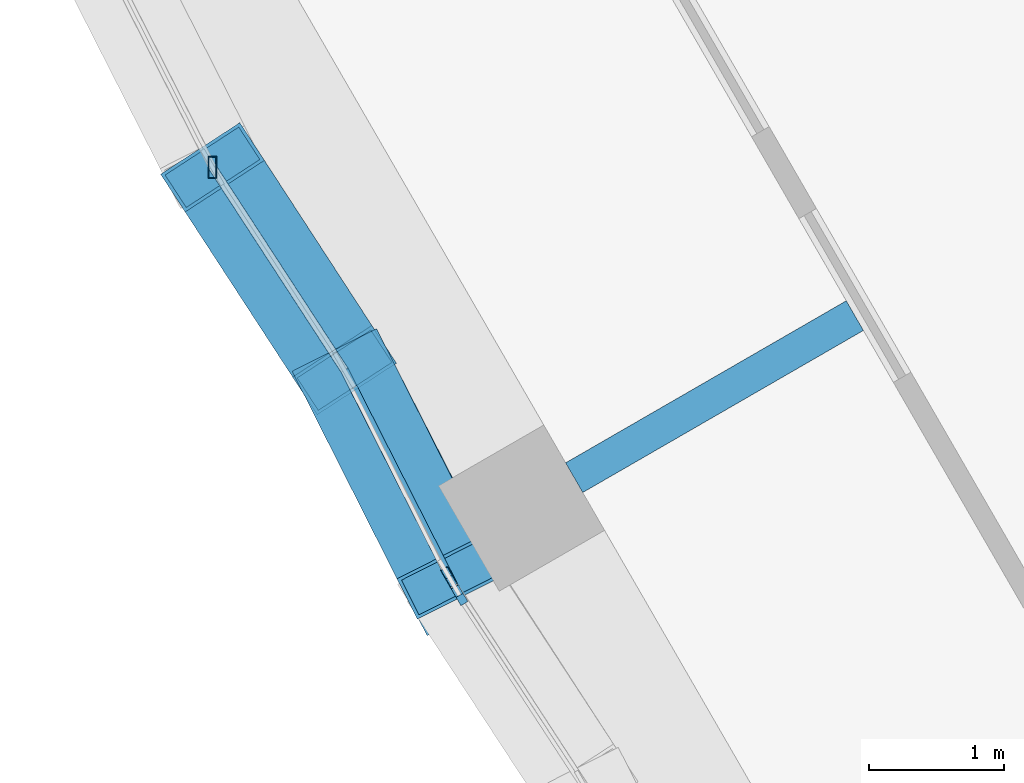
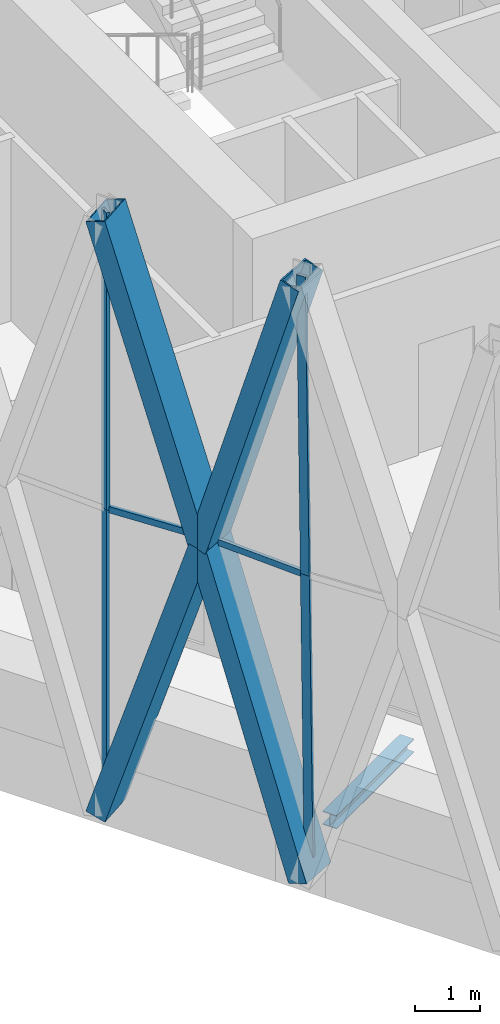
# One storey, part 3 of 21: 10 members, 1 beam, 2 elements without a shape of their own.
"""IFC4 building model written with IfcOpenShell, lengths in metres."""

from ifc_helpers import new_model, si_unit, direction, frame, origin, origin_2d, place, context, subcontext, project, spatial, hollow_rectangle, i_section, extrude, material, material_profile, profile_set, type_object, element, aggregate, save


model = new_model("IFC4")

# Units and contexts
model_context = context("Model", 3, precision=1e-05, world=origin(), true_north=direction((0.0, 1.0)))
body_context = subcontext(model_context, "Body", "Model", "MODEL_VIEW")
ifc_project = project(units=[si_unit("LENGTHUNIT", "METRE"), si_unit("AREAUNIT", "SQUARE_METRE"), si_unit("VOLUMEUNIT", "CUBIC_METRE"), si_unit("PLANEANGLEUNIT", "RADIAN"), si_unit("MASSUNIT", "GRAM", prefix="KILO")], contexts=[model_context])

# Site, building, storey
site_placement = place(None, origin())
site = spatial("IfcSite", under=ifc_project, at=site_placement, CompositionType="ELEMENT")
building_placement = place(site_placement, origin())
building = spatial("IfcBuilding", under=site, at=building_placement, Name="Ostrander Bayou Hotel Tower", CompositionType="ELEMENT")
storey_placement = place(building_placement, frame((0.0, 0.0, 256.25)))
storey = spatial("IfcBuildingStorey", under=building, at=storey_placement, Name="L63", CompositionType="ELEMENT", Elevation=256.25)

# Curtain wall, members
ifc_material_1 = material(Name="Aluminium and clear glass", Category="aluminium")
curtain_wall_type = type_object("IfcCurtainWallType", Name="CW-LAT lattice glazing", PredefinedType="NOTDEFINED", material=ifc_material_1)
curtain_wall_1_placement = place(storey_placement, origin())
curtain_wall_1 = element("IfcCurtainWall", 1, at=curtain_wall_1_placement, inside=storey, type_object=curtain_wall_type, Name="CW-LAT L63 SW 1", PredefinedType="NOTDEFINED")
ifc_material_2 = material(Name="Aluminium", Category="aluminium")
ifc_material_profile_1 = material_profile(ifc_material_2, hollow_rectangle(XDim=0.06005859375, YDim=0.159912109375, WallThickness=0.00390625, at=origin_2d()))
ifc_profile_set_1 = profile_set([ifc_material_profile_1], Name="Aluminium")
member_type_1 = type_object("IfcMemberType", Name="CW-LA mullion 60 x 160 mm", PredefinedType="MULLION", material=ifc_profile_set_1)
member_1_placement = place(storey_placement, frame((-15.216064453125, -8.784912109375, -0.60009765625), z_axis=(0.0, 0.0, 1.0), x_axis=(1.0, 0.0, 0.0)))
member_1 = element("IfcMember", 2, at=member_1_placement, type_object=member_type_1, Name="CW-LAT mullion 8", PredefinedType="MULLION", context=body_context, shape_type="SweptSolid", body=[
    extrude(hollow_rectangle(XDim=0.06005859375, YDim=0.159912109375, WallThickness=0.00390625, at=origin_2d()), origin(), (0.0, 0.0, 1.0), 5.625),
])
member_2_placement = place(storey_placement, frame((-15.216064453125, -8.784912109375, 5.02490234375), z_axis=(0.0, 0.0, 1.0), x_axis=(1.0, 0.0, 0.0)))
member_2 = element("IfcMember", 3, at=member_2_placement, type_object=member_type_1, Name="CW-LAT mullion 9", PredefinedType="MULLION", context=body_context, shape_type="SweptSolid", body=[
    extrude(hollow_rectangle(XDim=0.06005859375, YDim=0.159912109375, WallThickness=0.00390625, at=origin_2d()), origin(), (0.0, 0.0, 1.0), 5.625),
])
member_3_placement = place(storey_placement, frame((-13.390869140625, -11.9462890625, -0.60009765625), z_axis=(-0.006292904751, 0.010893235121, 0.999920865258), x_axis=(-0.865898279276, -0.500220121494, 0.0)))
member_3 = element("IfcMember", 4, at=member_3_placement, type_object=member_type_1, Name="CW-LAT mullion 12", PredefinedType="MULLION", context=body_context, shape_type="SweptSolid", body=[
    extrude(hollow_rectangle(XDim=0.06005859375, YDim=0.159912109375, WallThickness=0.00390625, at=origin_2d()), origin(), (0.0, 0.0, 1.0), 5.62548828125),
])
member_4_placement = place(storey_placement, frame((-13.42626953125, -11.885009765625, 5.02490234375), z_axis=(-0.006336299356, 0.010936626286, 0.999920117567), x_axis=(-0.865269522392, -0.501306945513, 0.0)))
member_4 = element("IfcMember", 5, at=member_4_placement, type_object=member_type_1, Name="CW-LAT mullion 13", PredefinedType="MULLION", context=body_context, shape_type="SweptSolid", body=[
    extrude(hollow_rectangle(XDim=0.06005859375, YDim=0.159912109375, WallThickness=0.00390625, at=origin_2d()), origin(), (0.0, 0.0, 1.0), 5.62548828125),
])
aggregate(curtain_wall_1, [member_1, member_2, member_3, member_4])

curtain_wall_2_placement = place(storey_placement, origin())
curtain_wall_2 = element("IfcCurtainWall", 6, at=curtain_wall_2_placement, inside=storey, type_object=curtain_wall_type, Name="CW-LAT L63 SW 2", PredefinedType="NOTDEFINED")
ifc_material_3 = material(Name="Aluminium", Category="aluminium")
ifc_material_profile_2 = material_profile(ifc_material_3, hollow_rectangle(XDim=0.06005859375, YDim=0.1201171875, WallThickness=0.00390625, at=origin_2d()))
ifc_profile_set_2 = profile_set([ifc_material_profile_2], Name="Aluminium")
member_type_2 = type_object("IfcMemberType", Name="CW-LA transom 60 x 120 mm", PredefinedType="USERDEFINED", material=ifc_profile_set_2)
member_5_placement = place(storey_placement, frame((-15.216064453125, -8.784912109375, 5.02490234375), z_axis=(0.545519674229, -0.838098016362, 0.0), x_axis=(0.838098016362, 0.545519674229, 0.0)))
member_5 = element("IfcMember", 7, at=member_5_placement, type_object=member_type_2, Name="CW-LAT transom 11", ObjectType="TRANSOM", PredefinedType="USERDEFINED", context=body_context, shape_type="SweptSolid", body=[
    extrude(hollow_rectangle(XDim=0.06005859375, YDim=0.1201171875, WallThickness=0.00390625, at=origin_2d()), origin(), (0.0, 0.0, 1.0), 1.79248046875),
])
member_6_placement = place(storey_placement, frame((-13.42626953125, -11.885009765625, 5.02490234375), z_axis=(-0.453033876418, 0.891493301611, 0.0), x_axis=(-0.891493301611, -0.453033876418, 0.0)))
member_6 = element("IfcMember", 8, at=member_6_placement, type_object=member_type_2, Name="CW-LAT transom 14", ObjectType="TRANSOM", PredefinedType="USERDEFINED", context=body_context, shape_type="SweptSolid", body=[
    extrude(hollow_rectangle(XDim=0.06005859375, YDim=0.1201171875, WallThickness=0.00390625, at=origin_2d()), origin(), (0.0, 0.0, 1.0), 1.79248046875),
])
aggregate(curtain_wall_2, [member_5, member_6])

# Beam
ifc_material_4 = material(Name="Steel ASTM A992", Category="steel")
ifc_material_profile_3 = material_profile(ifc_material_4, i_section(OverallWidth=0.25390625, OverallDepth=0.25341796875, WebThickness=0.008544921875, FlangeThickness=0.01416015625, at=origin_2d()))
ifc_profile_set_3 = profile_set([ifc_material_profile_3], Name="Steel ASTM A992")
beam_type = type_object("IfcBeamType", Name="LB2 loggia bracket W10x49", PredefinedType="BEAM", material=ifc_profile_set_3)
beam_placement = place(storey_placement, frame((-12.5380859375, -11.083251953125, -0.4267578125), z_axis=(0.866024647952, 0.500001309137, 0.0), x_axis=(-0.500001309137, 0.866024647952, 0.0)))
element("IfcBeam", 9, at=beam_placement, inside=storey, type_object=beam_type, Name="LB2 L63 SW2", PredefinedType="BEAM", context=body_context, shape_type="SweptSolid", body=[
    extrude(i_section(OverallWidth=0.25390625, OverallDepth=0.25341796875, WebThickness=0.008544921875, FlangeThickness=0.01416015625, at=origin_2d()), origin(), (0.0, 0.0, 1.0), 2.39990234375),
])

# Members
ifc_material_5 = material(Name="Steel ASTM A572 Gr 50", Category="steel")
ifc_material_profile_4 = material_profile(ifc_material_5, hollow_rectangle(XDim=0.699951171875, YDim=0.35009765625, WallThickness=0.02490234375, at=origin_2d()))
ifc_profile_set_4 = profile_set([ifc_material_profile_4], Name="Steel ASTM A572 Gr 50")
member_type_3 = type_object("IfcMemberType", Name="LT1 lattice member box 700 x 350 x 25 mm", PredefinedType="BRACE", material=ifc_profile_set_4)
for number, where, z_axis, x_axis, name in (
    (10, (-14.23828125, -10.287109375, 5.02490234375), (-0.165623033482, 0.254451566795, -0.952797675761), (-0.838098016362, -0.545519674229, 0.0), "LT1 L63 SW 9"),
    (11, (-14.23828125, -10.287109375, 5.02490234375), (-0.165623033482, 0.254451566795, 0.952797675761), (-0.838098016362, -0.545519674229, 0.0), "LT1 L63 SW 10"),
):
    element("IfcMember", number, at=place(storey_placement, frame(where, z_axis=z_axis, x_axis=x_axis)), inside=storey, type_object=member_type_3, Name=name, PredefinedType="BRACE", context=body_context, shape_type="SweptSolid", body=[
        extrude(hollow_rectangle(XDim=0.699951171875, YDim=0.35009765625, WallThickness=0.02490234375, at=origin_2d()), origin(), (0.0, 0.0, 1.0), 5.903564453125),
    ])
member_7_placement = place(storey_placement, frame((-14.23828125, -10.287109375, 5.02490234375), z_axis=(0.143010951676, -0.280006461421, -0.949286178801), x_axis=(0.890567995839, 0.454850134426, 0.0)))
element("IfcMember", 12, at=member_7_placement, inside=storey, type_object=member_type_3, Name="LT1 L63 SW 11", PredefinedType="BRACE", context=body_context, shape_type="SweptSolid", body=[
    extrude(hollow_rectangle(XDim=0.699951171875, YDim=0.35009765625, WallThickness=0.02490234375, at=origin_2d()), origin(), (0.0, 0.0, 1.0), 5.925537109375),
])
member_8_placement = place(storey_placement, frame((-14.23828125, -10.287109375, 5.02490234375), z_axis=(0.131979086351, -0.26117748126, 0.956225833184), x_axis=(0.892518630031, 0.451010526537, 0.0)))
element("IfcMember", 13, at=member_8_placement, inside=storey, type_object=member_type_3, Name="LT1 L63 SW 12", PredefinedType="BRACE", context=body_context, shape_type="SweptSolid", body=[
    extrude(hollow_rectangle(XDim=0.699951171875, YDim=0.35009765625, WallThickness=0.02490234375, at=origin_2d()), origin(), (0.0, 0.0, 1.0), 5.882568359375),
])

save(model, "model.ifc")
